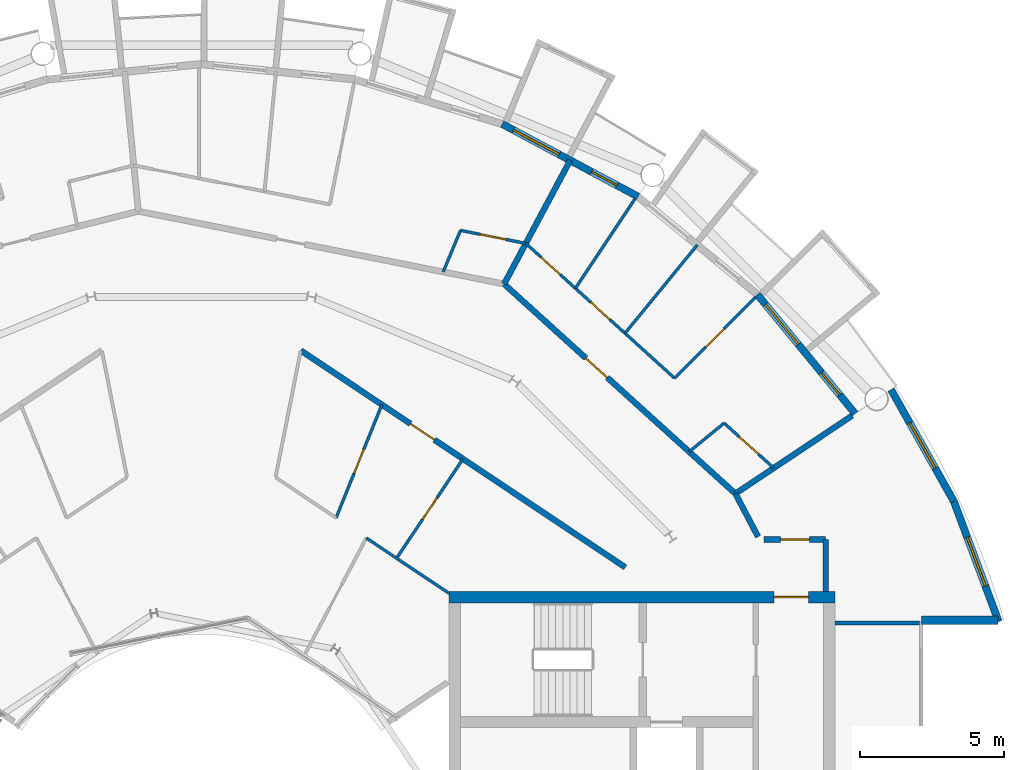
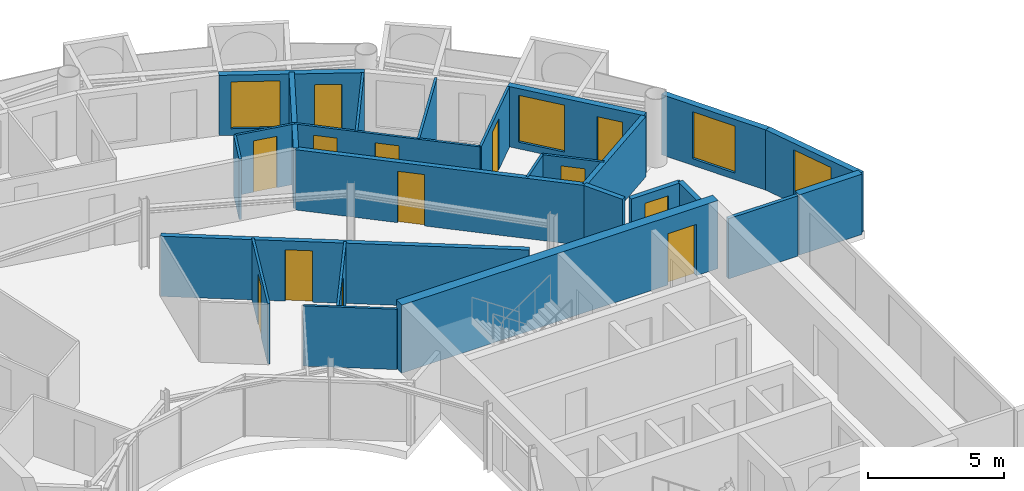
# One storey, part 23 of 28: 25 walls, 13 doors, 4 windows, 17 openings.
"""IFC4 building model written with IfcOpenShell, lengths in metres."""

import ifcopenshell
import ifcopenshell.guid

model = None  # the IFC model being written
_history = None  # IfcOwnerHistory: only IFC2X3 demands one
_inside = {}  # id of a spatial element -> (the spatial element, [elements in it])
_under = {}  # id of a project, library or spatial element -> (it, [spatial elements below it])
_declared = {}  # id of a project -> (the project, [libraries it declares])
_typed = {}  # id of a type object -> (the type object, [elements of that type])
_made_of = {}  # id of a material, layer set ... -> (it, [elements and type objects made of it])


def new_model(schema):
    """Start an empty IFC model of exactly this schema.

    Asked for "IFC4X3", IfcOpenShell would pick the latest addendum, in which some entities
    have other attributes; the version numbers below select the first issue.
    IFC2X3 requires an IfcOwnerHistory on every rooted entity: one is made here for all.
    """
    global model, _history
    if schema == "IFC4X3":
        model = ifcopenshell.file(schema_version=(4, 3, 0, 0))
    else:
        model = ifcopenshell.file(schema=schema)
    _inside.clear()
    _under.clear()
    _declared.clear()
    _typed.clear()
    _made_of.clear()
    _history = None
    if model.schema == "IFC2X3":
        org = make("IfcOrganization", Name="unknown")
        user = make(
            "IfcPersonAndOrganization",
            ThePerson=make("IfcPerson", FamilyName="unknown"),
            TheOrganization=org,
        )
        app = make(
            "IfcApplication",
            ApplicationDeveloper=org,
            Version="unknown",
            ApplicationFullName="unknown",
            ApplicationIdentifier="unknown",
        )
        _history = make(
            "IfcOwnerHistory",
            OwningUser=user,
            OwningApplication=app,
            ChangeAction="ADDED",
            CreationDate=0,
        )
    return model


def make(cls, **values):
    """One entity of the class cls with the attributes given. An attribute that is None is left unset."""
    return model.create_entity(
        cls, **{name: value for name, value in values.items() if value is not None}
    )


def rooted(cls, **values):
    """An entity with a GlobalId (a new one), such as an element, a storey or a relation."""
    return make(cls, GlobalId=ifcopenshell.guid.new(), OwnerHistory=_history, **values)


def si_unit(unit_type, name, prefix=None):
    """IfcSIUnit, for example si_unit("LENGTHUNIT", "METRE", prefix="MILLI")."""
    return make("IfcSIUnit", UnitType=unit_type, Prefix=prefix, Name=name)


def assignment(units):
    """IfcUnitAssignment: the units of a project."""
    return None if units is None else make("IfcUnitAssignment", Units=units)


def point(xyz):
    """IfcCartesianPoint."""
    return None if xyz is None else make("IfcCartesianPoint", Coordinates=xyz)


def direction(xyz):
    """IfcDirection."""
    return None if xyz is None else make("IfcDirection", DirectionRatios=xyz)


def frame(location, z_axis=None, x_axis=None):
    """IfcAxis2Placement3D, a coordinate frame: its origin and axes. An axis left out is left unset."""
    return make(
        "IfcAxis2Placement3D",
        Location=point(location),
        Axis=direction(z_axis),
        RefDirection=direction(x_axis),
    )


def frame_2d(location, x_axis=None):
    """IfcAxis2Placement2D, a coordinate frame in the plane: its origin and x axis."""
    return make(
        "IfcAxis2Placement2D", Location=point(location), RefDirection=direction(x_axis)
    )


def origin():
    """The frame at (0, 0, 0) with its axes left unset."""
    return frame((0.0, 0.0, 0.0))


def place(relative_to, where):
    """IfcLocalPlacement: puts the frame where relative to a parent placement (None: the world)."""
    return make(
        "IfcLocalPlacement", PlacementRelTo=relative_to, RelativePlacement=where
    )


def context(
    kind, dimensions, precision=None, world=None, true_north=None, identifier=None
):
    """IfcGeometricRepresentationContext, for example the 3D "Model" context."""
    return make(
        "IfcGeometricRepresentationContext",
        ContextIdentifier=identifier,
        ContextType=kind,
        CoordinateSpaceDimension=dimensions,
        Precision=precision,
        WorldCoordinateSystem=world,
        TrueNorth=true_north,
    )


def subcontext(parent, identifier, kind, view, scale=None):
    """IfcGeometricRepresentationSubContext, for example "Body" below "Model"."""
    return make(
        "IfcGeometricRepresentationSubContext",
        ContextIdentifier=identifier,
        ContextType=kind,
        ParentContext=parent,
        TargetScale=scale,
        TargetView=view,
    )


def project(units=None, contexts=None):
    """IfcProject with its units and contexts."""
    return rooted(
        "IfcProject",
        Name="project",
        RepresentationContexts=contexts,
        UnitsInContext=assignment(units),
    )


def spatial(cls, under=None, at=None, **own):
    """A site, building, storey or space (cls), placed at a placement, below another one or the project."""
    s = rooted(cls, ObjectPlacement=at, **own)
    if under is not None:
        _under.setdefault(under.id(), (under, []))[1].append(s)
    return s


def profile(cls, at=None, kind="AREA", **sizes):
    """A parametric profile (cls). Its sizes go by their IFC names, for example OverallWidth=200.0."""
    return make(cls, ProfileType=kind, Position=at, **sizes)


def rectangle(**sizes):
    """IfcRectangleProfileDef."""
    return profile("IfcRectangleProfileDef", **sizes)


def extrude(swept, where, along, depth):
    """IfcExtrudedAreaSolid: the profile swept, set in the frame where, extruded along a direction by depth."""
    return make(
        "IfcExtrudedAreaSolid",
        SweptArea=swept,
        Position=where,
        ExtrudedDirection=direction(along),
        Depth=depth,
    )


def shape(context_of_items, identifier, shape_type, items):
    """IfcShapeRepresentation: the items that make up one representation, for example the "Body"."""
    return make(
        "IfcShapeRepresentation",
        ContextOfItems=context_of_items,
        RepresentationIdentifier=identifier,
        RepresentationType=shape_type,
        Items=items,
    )


def material(Name=None, Category=None):
    """IfcMaterial."""
    return make("IfcMaterial", Name=Name, Category=Category)


def layer(
    of_material, thickness, ventilated=None, Name=None, Category=None, Priority=None
):
    """IfcMaterialLayer: one layer of a wall or slab, of a material (None: an air gap)."""
    return make(
        "IfcMaterialLayer",
        Material=of_material,
        LayerThickness=thickness,
        IsVentilated=ventilated,
        Name=Name,
        Category=Category,
        Priority=Priority,
    )


def layer_set(layers, Name=None):
    """IfcMaterialLayerSet."""
    return make("IfcMaterialLayerSet", MaterialLayers=layers, LayerSetName=Name)


def made_of(thing, what):
    """Note that an element or type object is made of a material, layer set ...; save() writes the relation."""
    if what is not None:
        _made_of.setdefault(what.id(), (what, []))[1].append(thing)
    return thing


def type_object(cls, material=None, **own):
    """A type object (cls), such as IfcWallType, which elements share."""
    return made_of(rooted(cls, **own), material)


def element(
    cls,
    number,
    at=None,
    inside=None,
    cuts=None,
    type_object=None,
    material=None,
    context=None,
    identifier="Body",
    shape_type=None,
    held_by="IfcProductDefinitionShape",
    body=None,
    shapes=None,
    **own,
):
    """One element of the class cls, such as IfcWall. Its Tag is "e" and its number.

    at: its placement. inside: the storey or other place that contains it. cuts: it is an
    opening in that element (IfcRelVoidsElement). A single representation is given by context,
    identifier, shape_type and body (its items); several are given by shapes. held_by: the class
    of the entity that holds the representations. save() writes the other relations.
    """
    e = rooted(cls, Tag="e%d" % number, ObjectPlacement=at, **own)
    if body is not None:
        shapes = [shape(context, identifier, shape_type, body)]
    if shapes is not None:
        e.Representation = make(held_by, Representations=shapes)
    if inside is not None:
        _inside.setdefault(inside.id(), (inside, []))[1].append(e)
    if cuts is not None:
        rooted(
            "IfcRelVoidsElement", RelatingBuildingElement=cuts, RelatedOpeningElement=e
        )
    if type_object is not None:
        _typed.setdefault(type_object.id(), (type_object, []))[1].append(e)
    return made_of(e, material)


def fill(opening, filler):
    """IfcRelFillsElement: the door or window that sits in an opening."""
    return rooted(
        "IfcRelFillsElement",
        RelatingOpeningElement=opening,
        RelatedBuildingElement=filler,
    )


def aggregate(whole, parts):
    """IfcRelAggregates: a whole, such as a stair, and the parts it consists of."""
    return rooted("IfcRelAggregates", RelatingObject=whole, RelatedObjects=parts)


def save(model, path):
    """Write the relations noted so far, then the file.

    IfcRelAggregates (storeys below a building ...), IfcRelContainedInSpatialStructure (elements
    in a storey), IfcRelDefinesByType, IfcRelAssociatesMaterial and IfcRelDeclares: one each for
    every whole, place, type object, material and project.
    """
    for whole, parts in _under.values():
        aggregate(whole, parts)
    for where, things in _inside.values():
        rooted(
            "IfcRelContainedInSpatialStructure",
            RelatedElements=things,
            RelatingStructure=where,
        )
    for kind, things in _typed.values():
        rooted("IfcRelDefinesByType", RelatedObjects=things, RelatingType=kind)
    for what, things in _made_of.values():
        rooted("IfcRelAssociatesMaterial", RelatedObjects=things, RelatingMaterial=what)
    for by, libraries in _declared.values():
        rooted("IfcRelDeclares", RelatingContext=by, RelatedDefinitions=libraries)
    model.write(path)


model = new_model("IFC4")

# Units and contexts
model_context = context("Model", 3, precision=1e-05, world=origin(), true_north=direction((0.0, 1.0)))
body_context = subcontext(model_context, "Body", "Model", "MODEL_VIEW")
ifc_project = project(units=[si_unit("LENGTHUNIT", "METRE"), si_unit("AREAUNIT", "SQUARE_METRE"), si_unit("VOLUMEUNIT", "CUBIC_METRE"), si_unit("PLANEANGLEUNIT", "RADIAN"), si_unit("MASSUNIT", "GRAM", prefix="KILO")], contexts=[model_context])

# Site, building, storey
site_placement = place(None, origin())
site = spatial("IfcSite", under=ifc_project, at=site_placement, CompositionType="ELEMENT")
building_placement = place(site_placement, origin())
building = spatial("IfcBuilding", under=site, at=building_placement, Name="Maasbend Ring Residences", CompositionType="ELEMENT")
storey_placement = place(building_placement, frame((0.0, 0.0, 227.949951171875)))
storey = spatial("IfcBuildingStorey", under=building, at=storey_placement, Name="L65", CompositionType="ELEMENT", Elevation=227.949951171875)

# Wall, opening, door
ifc_material_1 = material(Name="Concrete C50/60", Category="concrete")
ifc_layer_1 = layer(ifc_material_1, 0.39990234375)
ifc_layer_set_1 = layer_set([ifc_layer_1], Name="Concrete C50/60")
wall_type_1 = type_object("IfcWallType", Name="CORE WALL 400 C50/60", PredefinedType="SHEAR", material=ifc_layer_set_1)
wall_1_placement = place(storey_placement, frame((22.0, 8.800048828125, 0.0), z_axis=(0.0, 0.0, 1.0), x_axis=(-1.0, 0.0, 0.0)))
wall_1 = element("IfcWall", 1, at=wall_1_placement, inside=storey, type_object=wall_type_1, Name="L65 core E wall PN", PredefinedType="SHEAR", context=body_context, shape_type="SweptSolid", body=[
    extrude(rectangle(XDim=13.39990234375, YDim=0.39990234375, at=frame_2d((6.699951171875, 0.0))), origin(), (0.0, 0.0, 1.0), 3.050048828125),
])
opening_1_placement = place(wall_1_placement, frame((0.925048828125, 0.0, 0.0)))
opening_1 = element("IfcOpeningElement", 2, at=opening_1_placement, cuts=wall_1, Name="Opening D-E6514", PredefinedType="OPENING", context=body_context, shape_type="SweptSolid", body=[
    extrude(rectangle(XDim=1.199951171875, YDim=2.300048828125, at=frame_2d((0.60009765625, 1.14990234375))), frame((0.0, 0.2099609375, 0.0), z_axis=(0.0, -1.0, 0.0), x_axis=(1.0, 0.0, 0.0)), (0.0, 0.0, 1.0), 0.419921875),
])
ifc_material_2 = material(Name="Steel, powder coated", Category="steel")
door_type_1 = type_object("IfcDoorType", Name="CORRIDOR DOOR 1200 X 2300 FD30S", OperationType="NOTDEFINED", PredefinedType="DOOR", material=ifc_material_2)
door_1_placement = place(opening_1_placement, origin())
door_1 = element("IfcDoor", 3, at=door_1_placement, inside=storey, type_object=door_type_1, Name="Corridor door L65", OperationType="SINGLE_SWING_RIGHT", OverallHeight=2.300048828125, OverallWidth=1.199951171875, PredefinedType="DOOR", context=body_context, shape_type="SweptSolid", body=[
    extrude(rectangle(XDim=1.199951171875, YDim=2.300048828125, at=frame_2d((0.60009765625, 1.14990234375))), frame((0.0, 0.02490234375, 0.0), z_axis=(0.0, -1.0, 0.0), x_axis=(1.0, 0.0, 0.0)), (0.0, 0.0, 1.0), 0.050048828125),
])
fill(opening_1, door_1)

# Wall
ifc_material_3 = material(Name="Concrete C30/37", Category="concrete")
ifc_layer_2 = layer(ifc_material_3, 0.199951171875)
ifc_layer_set_2 = layer_set([ifc_layer_2], Name="Concrete C30/37")
wall_type_2 = type_object("IfcWallType", Name="CORRIDOR WALL 200 CONCRETE", PredefinedType="PARTITIONING", material=ifc_layer_set_2)
wall_2_placement = place(storey_placement, frame((21.675048828125, 9.0, 0.0), z_axis=(0.0, 0.0, 1.0), x_axis=(0.0, 1.0, 0.0)))
element("IfcWall", 4, at=wall_2_placement, inside=storey, type_object=wall_type_2, Name="U-L65-w013", PredefinedType="PARTITIONING", context=body_context, shape_type="SweptSolid", body=[
    extrude(rectangle(XDim=1.800048828125, YDim=0.199951171875, at=frame_2d((0.89990234375, 0.0))), origin(), (0.0, 0.0, 1.0), 2.699951171875),
])

# Wall, opening, door
wall_3_placement = place(storey_placement, frame((19.54296875, 10.800048828125, 0.0), z_axis=(0.0, 0.0, 1.0), x_axis=(1.0, 0.0, 0.0)))
wall_3 = element("IfcWall", 5, at=wall_3_placement, inside=storey, type_object=wall_type_2, Name="U-L65-w086", PredefinedType="PARTITIONING", context=body_context, shape_type="SweptSolid", body=[
    extrude(rectangle(XDim=2.132080078125, YDim=0.199951171875, at=frame_2d((1.06591796875, 0.0))), origin(), (0.0, 0.0, 1.0), 2.699951171875),
])
opening_2_placement = place(wall_3_placement, frame((0.56591796875, 0.0, 0.0)))
opening_2 = element("IfcOpeningElement", 6, at=opening_2_placement, cuts=wall_3, Name="Opening D-6560", PredefinedType="OPENING", context=body_context, shape_type="SweptSolid", body=[
    extrude(rectangle(XDim=1.0, YDim=2.300048828125, at=frame_2d((0.5, 1.14990234375))), frame((0.0, 0.10986328125, 0.0), z_axis=(0.0, -1.0, 0.0), x_axis=(1.0, 0.0, 0.0)), (0.0, 0.0, 1.0), 0.219970703125),
])
ifc_material_4 = material(Name="Timber, painted", Category="wood")
door_type_2 = type_object("IfcDoorType", Name="ROOM DOOR 1000 X 2300", OperationType="NOTDEFINED", PredefinedType="DOOR", material=ifc_material_4)
door_2_placement = place(opening_2_placement, origin())
door_2 = element("IfcDoor", 7, at=door_2_placement, inside=storey, type_object=door_type_2, Name="D-6560", OperationType="SINGLE_SWING_RIGHT", OverallHeight=2.300048828125, OverallWidth=1.0, PredefinedType="DOOR", context=body_context, shape_type="SweptSolid", body=[
    extrude(rectangle(XDim=1.0, YDim=2.300048828125, at=frame_2d((0.5, 1.14990234375))), frame((0.0, 0.02490234375, 0.0), z_axis=(0.0, -1.0, 0.0), x_axis=(1.0, 0.0, 0.0)), (0.0, 0.0, 1.0), 0.050048828125),
])
fill(opening_2, door_2)

wall_4_placement = place(storey_placement, frame((3.452880859375, 17.360107421875, 0.0), z_axis=(0.0, 0.0, 1.0), x_axis=(0.831437137577, -0.555618831806, 0.0)))
wall_4 = element("IfcWall", 8, at=wall_4_placement, inside=storey, type_object=wall_type_2, Name="U-L65-w092", PredefinedType="PARTITIONING", context=body_context, shape_type="SweptSolid", body=[
    extrude(rectangle(XDim=13.549072265625, YDim=0.199951171875, at=frame_2d((6.7744140625, 0.0))), origin(), (0.0, 0.0, 1.0), 2.699951171875),
])
opening_3_placement = place(wall_4_placement, frame((4.5810546875, 0.0, 0.0)))
opening_3 = element("IfcOpeningElement", 9, at=opening_3_placement, cuts=wall_4, Name="Opening D-6519", PredefinedType="OPENING", context=body_context, shape_type="SweptSolid", body=[
    extrude(rectangle(XDim=1.0, YDim=2.300048828125, at=frame_2d((0.5, 1.14990234375))), frame((0.0, 0.10986328125, 0.0), z_axis=(0.0, -1.0, 0.0), x_axis=(1.0, 0.0, 0.0)), (0.0, 0.0, 1.0), 0.219970703125),
])
ifc_material_5 = material(Name="Timber, fire-rated, painted", Category="wood")
door_type_3 = type_object("IfcDoorType", Name="FLAT ENTRANCE DOOR 1000 X 2300 FIRE-RATED", OperationType="NOTDEFINED", PredefinedType="DOOR", material=ifc_material_5)
door_3_placement = place(opening_3_placement, origin())
door_3 = element("IfcDoor", 10, at=door_3_placement, inside=storey, type_object=door_type_3, Name="D-6519", OperationType="SINGLE_SWING_LEFT", OverallHeight=2.300048828125, OverallWidth=1.0, PredefinedType="DOOR", context=body_context, shape_type="SweptSolid", body=[
    extrude(rectangle(XDim=1.0, YDim=2.300048828125, at=frame_2d((0.5, 1.14990234375))), frame((0.0, 0.02490234375, 0.0), z_axis=(0.0, -1.0, 0.0), x_axis=(1.0, 0.0, 0.0)), (0.0, 0.0, 1.0), 0.050048828125),
])
fill(opening_3, door_3)

wall_5_placement = place(storey_placement, frame((10.511962890625, 19.6669921875, 0.0), z_axis=(0.0, 0.0, 1.0), x_axis=(0.740947367223, -0.671563101283, 0.0)))
wall_5 = element("IfcWall", 11, at=wall_5_placement, inside=storey, type_object=wall_type_2, Name="U-L65-w095", PredefinedType="PARTITIONING", context=body_context, shape_type="SweptSolid", body=[
    extrude(rectangle(XDim=10.83740234375, YDim=0.199951171875, at=frame_2d((5.418701171875, 0.0))), origin(), (0.0, 0.0, 1.0), 2.699951171875),
])
opening_4_placement = place(wall_5_placement, frame((3.8349609375, 0.0, 0.0)))
opening_4 = element("IfcOpeningElement", 12, at=opening_4_placement, cuts=wall_5, Name="Opening D-6501", PredefinedType="OPENING", context=body_context, shape_type="SweptSolid", body=[
    extrude(rectangle(XDim=1.0, YDim=2.300048828125, at=frame_2d((0.5, 1.14990234375))), frame((0.0, 0.10986328125, 0.0), z_axis=(0.0, -1.0, 0.0), x_axis=(1.0, 0.0, 0.0)), (0.0, 0.0, 1.0), 0.219970703125),
])
door_4_placement = place(opening_4_placement, origin())
door_4 = element("IfcDoor", 13, at=door_4_placement, inside=storey, type_object=door_type_3, Name="D-6501", OperationType="SINGLE_SWING_LEFT", OverallHeight=2.300048828125, OverallWidth=1.0, PredefinedType="DOOR", context=body_context, shape_type="SweptSolid", body=[
    extrude(rectangle(XDim=1.0, YDim=2.300048828125, at=frame_2d((0.5, 1.14990234375))), frame((0.0, 0.02490234375, 0.0), z_axis=(0.0, -1.0, 0.0), x_axis=(1.0, 0.0, 0.0)), (0.0, 0.0, 1.0), 0.050048828125),
])
fill(opening_4, door_4)

# Wall
wall_6_placement = place(storey_placement, frame((18.5419921875, 12.388916015625, 0.0), z_axis=(0.0, 0.0, 1.0), x_axis=(0.465812036273, -0.88488369115, 0.0)))
element("IfcWall", 14, at=wall_6_placement, inside=storey, type_object=wall_type_2, Name="U-L65-w100", PredefinedType="PARTITIONING", context=body_context, shape_type="SweptSolid", body=[
    extrude(rectangle(XDim=1.687255859375, YDim=0.199951171875, at=frame_2d((0.84375, 0.0))), origin(), (0.0, 0.0, 1.0), 2.699951171875),
])

# Wall, openings, door, window
ifc_material_6 = material(Name="Aluminium clad insulated panel", Category="aluminium")
ifc_layer_3 = layer(ifc_material_6, 0.25)
ifc_layer_set_3 = layer_set([ifc_layer_3], Name="EW-GL")
wall_type_3 = type_object("IfcWallType", Name="EW-GL", PredefinedType="SOLIDWALL", material=ifc_layer_set_3)
wall_7_placement = place(storey_placement, frame((22.698974609375, 15.1669921875, 0.0), z_axis=(0.0, 0.0, 1.0), x_axis=(-0.634382322723, 0.773019449054, 0.0)))
wall_7 = element("IfcWall", 15, at=wall_7_placement, inside=storey, type_object=wall_type_3, Name="External wall N01", PredefinedType="SOLIDWALL", context=body_context, shape_type="SweptSolid", body=[
    extrude(rectangle(XDim=5.351806640625, YDim=0.25, at=frame_2d((2.67578125, 0.0))), origin(), (0.0, 0.0, 1.0), 2.699951171875),
])
opening_5_placement = place(wall_7_placement, frame((0.841064453125, 0.0, 0.0)))
opening_5 = element("IfcOpeningElement", 16, at=opening_5_placement, cuts=wall_7, Name="Opening D-LG", PredefinedType="OPENING", context=body_context, shape_type="SweptSolid", body=[
    extrude(rectangle(XDim=1.0, YDim=2.199951171875, at=frame_2d((0.5, 1.10009765625))), frame((0.0, 0.135009765625, 0.0), z_axis=(0.0, -1.0, 0.0), x_axis=(1.0, 0.0, 0.0)), (0.0, 0.0, 1.0), 0.27001953125),
])
opening_6_placement = place(wall_7_placement, frame((3.110595703125, 0.0, 0.300048828125)))
opening_6 = element("IfcOpeningElement", 17, at=opening_6_placement, cuts=wall_7, Name="Opening W-BX", PredefinedType="OPENING", context=body_context, shape_type="SweptSolid", body=[
    extrude(rectangle(XDim=1.800048828125, YDim=2.10009765625, at=frame_2d((0.89990234375, 1.050048828125))), frame((0.0, 0.135009765625, 0.0), z_axis=(0.0, -1.0, 0.0), x_axis=(1.0, 0.0, 0.0)), (0.0, 0.0, 1.0), 0.27001953125),
])
ifc_material_7 = material(Name="Aluminium and clear glass", Category="aluminium")
door_type_4 = type_object("IfcDoorType", Name="D-LG", OperationType="SINGLE_SWING_LEFT", PredefinedType="DOOR", material=ifc_material_7)
door_5_placement = place(opening_5_placement, origin())
door_5 = element("IfcDoor", 18, at=door_5_placement, inside=storey, type_object=door_type_4, Name="Loggia door N01", OperationType="SINGLE_SWING_LEFT", OverallHeight=2.199951171875, OverallWidth=1.0, PredefinedType="DOOR", context=body_context, shape_type="SweptSolid", body=[
    extrude(rectangle(XDim=1.0, YDim=2.199951171875, at=frame_2d((0.5, 1.10009765625))), frame((0.0, 0.02490234375, 0.0), z_axis=(0.0, -1.0, 0.0), x_axis=(1.0, 0.0, 0.0)), (0.0, 0.0, 1.0), 0.050048828125),
])
fill(opening_5, door_5)
ifc_material_8 = material(Name="Aluminium and clear glass", Category="aluminium")
window_type = type_object("IfcWindowType", Name="W-BX", PartitioningType="DOUBLE_PANEL_VERTICAL", PredefinedType="WINDOW", material=ifc_material_8)
window_1_placement = place(opening_6_placement, origin())
window_1 = element("IfcWindow", 19, at=window_1_placement, inside=storey, type_object=window_type, Name="Window N02 room to box", OverallHeight=2.10009765625, OverallWidth=1.800048828125, PartitioningType="SINGLE_PANEL", PredefinedType="WINDOW", context=body_context, shape_type="SweptSolid", body=[
    extrude(rectangle(XDim=1.800048828125, YDim=2.10009765625, at=frame_2d((0.89990234375, 1.050048828125))), frame((0.0, 0.030029296875, 0.0), z_axis=(0.0, -1.0, 0.0), x_axis=(1.0, 0.0, 0.0)), (0.0, 0.0, 1.0), 0.06005859375),
])
fill(opening_6, window_1)

wall_8_placement = place(storey_placement, frame((15.1669921875, 22.698974609375, 0.0), z_axis=(0.0, 0.0, 1.0), x_axis=(-0.881915646801, 0.471407246368, 0.0)))
wall_8 = element("IfcWall", 20, at=wall_8_placement, inside=storey, type_object=wall_type_3, Name="External wall N03", PredefinedType="SOLIDWALL", context=body_context, shape_type="SweptSolid", body=[
    extrude(rectangle(XDim=5.35205078125, YDim=0.25, at=frame_2d((2.676025390625, 0.0))), origin(), (0.0, 0.0, 1.0), 2.699951171875),
])
opening_7_placement = place(wall_8_placement, frame((0.841064453125, 0.0, 0.0)))
opening_7 = element("IfcOpeningElement", 21, at=opening_7_placement, cuts=wall_8, Name="Opening D-LG", PredefinedType="OPENING", context=body_context, shape_type="SweptSolid", body=[
    extrude(rectangle(XDim=1.0, YDim=2.199951171875, at=frame_2d((0.5, 1.10009765625))), frame((0.0, 0.135009765625, 0.0), z_axis=(0.0, -1.0, 0.0), x_axis=(1.0, 0.0, 0.0)), (0.0, 0.0, 1.0), 0.27001953125),
])
opening_8_placement = place(wall_8_placement, frame((3.110595703125, 0.0, 0.300048828125)))
opening_8 = element("IfcOpeningElement", 22, at=opening_8_placement, cuts=wall_8, Name="Opening W-BX", PredefinedType="OPENING", context=body_context, shape_type="SweptSolid", body=[
    extrude(rectangle(XDim=1.800048828125, YDim=2.10009765625, at=frame_2d((0.89990234375, 1.050048828125))), frame((0.0, 0.135009765625, 0.0), z_axis=(0.0, -1.0, 0.0), x_axis=(1.0, 0.0, 0.0)), (0.0, 0.0, 1.0), 0.27001953125),
])
door_6_placement = place(opening_7_placement, origin())
door_6 = element("IfcDoor", 23, at=door_6_placement, inside=storey, type_object=door_type_4, Name="Loggia door N05", OperationType="SINGLE_SWING_LEFT", OverallHeight=2.199951171875, OverallWidth=1.0, PredefinedType="DOOR", context=body_context, shape_type="SweptSolid", body=[
    extrude(rectangle(XDim=1.0, YDim=2.199951171875, at=frame_2d((0.5, 1.10009765625))), frame((0.0, 0.02490234375, 0.0), z_axis=(0.0, -1.0, 0.0), x_axis=(1.0, 0.0, 0.0)), (0.0, 0.0, 1.0), 0.050048828125),
])
fill(opening_7, door_6)
window_2_placement = place(opening_8_placement, origin())
window_2 = element("IfcWindow", 24, at=window_2_placement, inside=storey, type_object=window_type, Name="Window N06 room to box", OverallHeight=2.10009765625, OverallWidth=1.800048828125, PartitioningType="SINGLE_PANEL", PredefinedType="WINDOW", context=body_context, shape_type="SweptSolid", body=[
    extrude(rectangle(XDim=1.800048828125, YDim=2.10009765625, at=frame_2d((0.89990234375, 1.050048828125))), frame((0.0, 0.030029296875, 0.0), z_axis=(0.0, -1.0, 0.0), x_axis=(1.0, 0.0, 0.0)), (0.0, 0.0, 1.0), 0.06005859375),
])
fill(opening_8, window_2)

# Wall, opening, window
ifc_material_9 = material(Name="Aluminium clad insulated panel", Category="aluminium")
ifc_layer_4 = layer(ifc_material_9, 0.25)
ifc_layer_set_4 = layer_set([ifc_layer_4], Name="EW-HORN")
wall_type_4 = type_object("IfcWallType", Name="EW-HORN", PredefinedType="SOLIDWALL", material=ifc_layer_set_4)
wall_9_placement = place(storey_placement, frame((27.681884765625, 7.945068359375, 0.0), z_axis=(0.0, 0.0, 1.0), x_axis=(-0.349247811493, 0.937030397675, 0.0)))
wall_9 = element("IfcWall", 25, at=wall_9_placement, inside=storey, type_object=wall_type_4, Name="Horn wall 1.1", PredefinedType="SOLIDWALL", context=body_context, shape_type="SweptSolid", body=[
    extrude(rectangle(XDim=4.4521484375, YDim=0.25, at=frame_2d((2.22607421875, 0.0))), origin(), (0.0, 0.0, 1.0), 2.699951171875),
])
opening_9_placement = place(wall_9_placement, frame((1.32666015625, 0.0, 0.300048828125)))
opening_9 = element("IfcOpeningElement", 26, at=opening_9_placement, cuts=wall_9, Name="Opening W-BX", PredefinedType="OPENING", context=body_context, shape_type="SweptSolid", body=[
    extrude(rectangle(XDim=1.800048828125, YDim=2.10009765625, at=frame_2d((0.89990234375, 1.050048828125))), frame((0.0, 0.135009765625, 0.0), z_axis=(0.0, -1.0, 0.0), x_axis=(1.0, 0.0, 0.0)), (0.0, 0.0, 1.0), 0.27001953125),
])
window_3_placement = place(opening_9_placement, origin())
window_3 = element("IfcWindow", 27, at=window_3_placement, inside=storey, type_object=window_type, Name="Horn window 1.1", OverallHeight=2.10009765625, OverallWidth=1.800048828125, PartitioningType="SINGLE_PANEL", PredefinedType="WINDOW", context=body_context, shape_type="SweptSolid", body=[
    extrude(rectangle(XDim=1.800048828125, YDim=2.10009765625, at=frame_2d((0.89990234375, 1.050048828125))), frame((0.0, 0.030029296875, 0.0), z_axis=(0.0, -1.0, 0.0), x_axis=(1.0, 0.0, 0.0)), (0.0, 0.0, 1.0), 0.06005859375),
])
fill(opening_9, window_3)

wall_10_placement = place(storey_placement, frame((26.126953125, 12.116943359375, 0.0), z_axis=(0.0, 0.0, 1.0), x_axis=(-0.489696356642, 0.871893042919, 0.0)))
wall_10 = element("IfcWall", 28, at=wall_10_placement, inside=storey, type_object=wall_type_4, Name="Horn wall 1.2", PredefinedType="SOLIDWALL", context=body_context, shape_type="SweptSolid", body=[
    extrude(rectangle(XDim=4.45361328125, YDim=0.25, at=frame_2d((2.226806640625, 0.0))), origin(), (0.0, 0.0, 1.0), 2.699951171875),
])
opening_10_placement = place(wall_10_placement, frame((1.32666015625, 0.0, 0.300048828125)))
opening_10 = element("IfcOpeningElement", 29, at=opening_10_placement, cuts=wall_10, Name="Opening W-BX", PredefinedType="OPENING", context=body_context, shape_type="SweptSolid", body=[
    extrude(rectangle(XDim=1.800048828125, YDim=2.10009765625, at=frame_2d((0.89990234375, 1.050048828125))), frame((0.0, 0.135009765625, 0.0), z_axis=(0.0, -1.0, 0.0), x_axis=(1.0, 0.0, 0.0)), (0.0, 0.0, 1.0), 0.27001953125),
])
window_4_placement = place(opening_10_placement, origin())
window_4 = element("IfcWindow", 30, at=window_4_placement, inside=storey, type_object=window_type, Name="Horn window 1.2", OverallHeight=2.10009765625, OverallWidth=1.800048828125, PartitioningType="SINGLE_PANEL", PredefinedType="WINDOW", context=body_context, shape_type="SweptSolid", body=[
    extrude(rectangle(XDim=1.800048828125, YDim=2.10009765625, at=frame_2d((0.89990234375, 1.050048828125))), frame((0.0, 0.030029296875, 0.0), z_axis=(0.0, -1.0, 0.0), x_axis=(1.0, 0.0, 0.0)), (0.0, 0.0, 1.0), 0.06005859375),
])
fill(opening_10, window_4)

# Wall
ifc_material_10 = material(Name="Aluminium clad insulated panel", Category="aluminium")
ifc_layer_5 = layer(ifc_material_10, 0.300048828125)
ifc_layer_set_5 = layer_set([ifc_layer_5], Name="EW-RET")
wall_type_5 = type_object("IfcWallType", Name="EW-RET", PredefinedType="SOLIDWALL", material=ifc_layer_set_5)
wall_11_placement = place(storey_placement, frame((25.0, 8.0, 0.0), z_axis=(0.0, 0.0, 1.0), x_axis=(1.0, 0.0, 0.0)))
element("IfcWall", 31, at=wall_11_placement, inside=storey, type_object=wall_type_5, Name="Notch return wall east north", PredefinedType="SOLIDWALL", context=body_context, shape_type="SweptSolid", body=[
    extrude(rectangle(XDim=2.6669921875, YDim=0.300048828125, at=frame_2d((1.33349609375, 0.0))), origin(), (0.0, 0.0, 1.0), 2.699951171875),
])

# Wall, opening, door
ifc_material_11 = material(Name="Gypsum board on steel studs", Category="steel")
ifc_layer_6 = layer(ifc_material_11, 0.10009765625)
ifc_layer_set_6 = layer_set([ifc_layer_6], Name="PARTITION 100 GYPSUM")
wall_type_6 = type_object("IfcWallType", Name="PARTITION 100 GYPSUM", PredefinedType="PARTITIONING", material=ifc_layer_set_6)
wall_12_placement = place(storey_placement, frame((4.677978515625, 11.551025390625, 0.0), z_axis=(0.0, 0.0, 1.0), x_axis=(0.375509828455, 0.926818411952, 0.0)))
wall_12 = element("IfcWall", 32, at=wall_12_placement, inside=storey, type_object=wall_type_6, Name="U-L65-w062", PredefinedType="PARTITIONING", context=body_context, shape_type="SweptSolid", body=[
    extrude(rectangle(XDim=4.237060546875, YDim=0.10009765625, at=frame_2d((2.11865234375, 0.0))), origin(), (0.0, 0.0, 1.0), 2.699951171875),
])
opening_11_placement = place(wall_12_placement, frame((1.6689453125, 0.0, 0.0)))
opening_11 = element("IfcOpeningElement", 33, at=opening_11_placement, cuts=wall_12, Name="Opening D-6520", PredefinedType="OPENING", context=body_context, shape_type="SweptSolid", body=[
    extrude(rectangle(XDim=0.89990234375, YDim=2.300048828125, at=frame_2d((0.449951171875, 1.14990234375))), frame((0.0, 0.06005859375, 0.0), z_axis=(0.0, -1.0, 0.0), x_axis=(1.0, 0.0, 0.0)), (0.0, 0.0, 1.0), 0.1201171875),
])
ifc_material_12 = material(Name="Timber, painted", Category="wood")
door_type_5 = type_object("IfcDoorType", Name="INTERNAL DOOR 900 X 2300", OperationType="NOTDEFINED", PredefinedType="DOOR", material=ifc_material_12)
door_7_placement = place(opening_11_placement, origin())
door_7 = element("IfcDoor", 34, at=door_7_placement, inside=storey, type_object=door_type_5, Name="D-6520", OperationType="SINGLE_SWING_RIGHT", OverallHeight=2.300048828125, OverallWidth=0.89990234375, PredefinedType="DOOR", context=body_context, shape_type="SweptSolid", body=[
    extrude(rectangle(XDim=0.89990234375, YDim=2.300048828125, at=frame_2d((0.449951171875, 1.14990234375))), frame((0.0, 0.02490234375, 0.0), z_axis=(0.0, -1.0, 0.0), x_axis=(1.0, 0.0, 0.0)), (0.0, 0.0, 1.0), 0.050048828125),
])
fill(opening_11, door_7)

wall_13_placement = place(storey_placement, frame((6.780029296875, 10.14697265625, 0.0), z_axis=(0.0, 0.0, 1.0), x_axis=(0.555528237031, 0.831497671591, 0.0)))
wall_13 = element("IfcWall", 35, at=wall_13_placement, inside=storey, type_object=wall_type_6, Name="U-L65-w066", PredefinedType="PARTITIONING", context=body_context, shape_type="SweptSolid", body=[
    extrude(rectangle(XDim=4.149169921875, YDim=0.10009765625, at=frame_2d((2.07470703125, 0.0))), origin(), (0.0, 0.0, 1.0), 2.699951171875),
])
opening_12_placement = place(wall_13_placement, frame((1.625, 0.0, 0.0)))
opening_12 = element("IfcOpeningElement", 36, at=opening_12_placement, cuts=wall_13, Name="Opening D-6521", PredefinedType="OPENING", context=body_context, shape_type="SweptSolid", body=[
    extrude(rectangle(XDim=0.89990234375, YDim=2.300048828125, at=frame_2d((0.449951171875, 1.14990234375))), frame((0.0, 0.06005859375, 0.0), z_axis=(0.0, -1.0, 0.0), x_axis=(1.0, 0.0, 0.0)), (0.0, 0.0, 1.0), 0.1201171875),
])
door_8_placement = place(opening_12_placement, origin())
door_8 = element("IfcDoor", 37, at=door_8_placement, inside=storey, type_object=door_type_5, Name="D-6521", OperationType="SINGLE_SWING_RIGHT", OverallHeight=2.300048828125, OverallWidth=0.89990234375, PredefinedType="DOOR", context=body_context, shape_type="SweptSolid", body=[
    extrude(rectangle(XDim=0.89990234375, YDim=2.300048828125, at=frame_2d((0.449951171875, 1.14990234375))), frame((0.0, 0.02490234375, 0.0), z_axis=(0.0, -1.0, 0.0), x_axis=(1.0, 0.0, 0.0)), (0.0, 0.0, 1.0), 0.050048828125),
])
fill(opening_12, door_8)

# Walls
wall_14_placement = place(storey_placement, frame((8.39599609375, 20.087890625, 0.0), z_axis=(0.0, 0.0, 1.0), x_axis=(0.385469858593, 0.922720427929, 0.0)))
element("IfcWall", 38, at=wall_14_placement, inside=storey, type_object=wall_type_6, Name="U-L65-w067", PredefinedType="PARTITIONING", context=body_context, shape_type="SweptSolid", body=[
    extrude(rectangle(XDim=1.561767578125, YDim=0.10009765625, at=frame_2d((0.78076171875, 0.0))), origin(), (0.0, 0.0, 1.0), 2.699951171875),
])
wall_15_placement = place(storey_placement, frame((12.988037109375, 19.51806640625, 0.0), z_axis=(0.0, 0.0, 1.0), x_axis=(0.553823887887, 0.83263383381, 0.0)))
element("IfcWall", 39, at=wall_15_placement, inside=storey, type_object=wall_type_6, Name="U-L65-w072", PredefinedType="PARTITIONING", context=body_context, shape_type="SweptSolid", body=[
    extrude(rectangle(XDim=3.730224609375, YDim=0.10009765625, at=frame_2d((1.865234375, 0.0))), origin(), (0.0, 0.0, 1.0), 2.699951171875),
])
wall_16_placement = place(storey_placement, frame((14.708984375, 17.9580078125, 0.0), z_axis=(0.0, 0.0, 1.0), x_axis=(0.633590098448, 0.773668913133, 0.0)))
element("IfcWall", 40, at=wall_16_placement, inside=storey, type_object=wall_type_6, Name="U-L65-w074", PredefinedType="PARTITIONING", context=body_context, shape_type="SweptSolid", body=[
    extrude(rectangle(XDim=3.961669921875, YDim=0.10009765625, at=frame_2d((1.98095703125, 0.0))), origin(), (0.0, 0.0, 1.0), 2.699951171875),
])

# Wall, opening, door
wall_17_placement = place(storey_placement, frame((16.429931640625, 16.39794921875, 0.0), z_axis=(0.0, 0.0, 1.0), x_axis=(0.707722727509, 0.706490297858, 0.0)))
wall_17 = element("IfcWall", 41, at=wall_17_placement, inside=storey, type_object=wall_type_6, Name="U-L65-w076", PredefinedType="PARTITIONING", context=body_context, shape_type="SweptSolid", body=[
    extrude(rectangle(XDim=3.9619140625, YDim=0.10009765625, at=frame_2d((1.98095703125, 0.0))), origin(), (0.0, 0.0, 1.0), 2.699951171875),
])
opening_13_placement = place(wall_17_placement, frame((1.531005859375, 0.0, 0.0)))
opening_13 = element("IfcOpeningElement", 42, at=opening_13_placement, cuts=wall_17, Name="Opening D-6503", PredefinedType="OPENING", context=body_context, shape_type="SweptSolid", body=[
    extrude(rectangle(XDim=0.89990234375, YDim=2.300048828125, at=frame_2d((0.449951171875, 1.14990234375))), frame((0.0, 0.06005859375, 0.0), z_axis=(0.0, -1.0, 0.0), x_axis=(1.0, 0.0, 0.0)), (0.0, 0.0, 1.0), 0.1201171875),
])
door_9_placement = place(opening_13_placement, origin())
door_9 = element("IfcDoor", 43, at=door_9_placement, inside=storey, type_object=door_type_5, Name="D-6503", OperationType="SINGLE_SWING_RIGHT", OverallHeight=2.300048828125, OverallWidth=0.89990234375, PredefinedType="DOOR", context=body_context, shape_type="SweptSolid", body=[
    extrude(rectangle(XDim=0.89990234375, YDim=2.300048828125, at=frame_2d((0.449951171875, 1.14990234375))), frame((0.0, 0.02490234375, 0.0), z_axis=(0.0, -1.0, 0.0), x_axis=(1.0, 0.0, 0.0)), (0.0, 0.0, 1.0), 0.050048828125),
])
fill(opening_13, door_9)

# Walls
wall_18_placement = place(storey_placement, frame((16.93603515625, 13.844970703125, 0.0), z_axis=(0.0, 0.0, 1.0), x_axis=(0.774283039722, 0.632839453889, 0.0)))
element("IfcWall", 44, at=wall_18_placement, inside=storey, type_object=wall_type_6, Name="U-L65-w078", PredefinedType="PARTITIONING", context=body_context, shape_type="SweptSolid", body=[
    extrude(rectangle(XDim=1.569091796875, YDim=0.10009765625, at=frame_2d((0.78466796875, 0.0))), origin(), (0.0, 0.0, 1.0), 2.699951171875),
])
wall_19_placement = place(storey_placement, frame((5.72998046875, 10.847900390625, 0.0), z_axis=(0.0, 0.0, 1.0), x_axis=(0.831397130511, -0.555678694372, 0.0)))
element("IfcWall", 45, at=wall_19_placement, inside=storey, type_object=wall_type_6, Name="U-L65-w090", PredefinedType="PARTITIONING", context=body_context, shape_type="SweptSolid", body=[
    extrude(rectangle(XDim=3.453369140625, YDim=0.10009765625, at=frame_2d((1.7265625, 0.0))), origin(), (0.0, 0.0, 1.0), 2.699951171875),
])

# Wall, opening, door
wall_20_placement = place(storey_placement, frame((8.998046875, 21.529052734375, 0.0), z_axis=(0.0, 0.0, 1.0), x_axis=(0.980783177308, -0.19510089469, 0.0)))
wall_20 = element("IfcWall", 46, at=wall_20_placement, inside=storey, type_object=wall_type_6, Name="U-L65-w104", PredefinedType="PARTITIONING", context=body_context, shape_type="SweptSolid", body=[
    extrude(rectangle(XDim=2.3125, YDim=0.10009765625, at=frame_2d((1.15625, 0.0))), origin(), (0.0, 0.0, 1.0), 2.699951171875),
])
opening_14_placement = place(wall_20_placement, frame((0.7060546875, 0.0, 0.0)))
opening_14 = element("IfcOpeningElement", 47, at=opening_14_placement, cuts=wall_20, Name="Opening D-6507", PredefinedType="OPENING", context=body_context, shape_type="SweptSolid", body=[
    extrude(rectangle(XDim=0.89990234375, YDim=2.300048828125, at=frame_2d((0.449951171875, 1.14990234375))), frame((0.0, 0.06005859375, 0.0), z_axis=(0.0, -1.0, 0.0), x_axis=(1.0, 0.0, 0.0)), (0.0, 0.0, 1.0), 0.1201171875),
])
door_10_placement = place(opening_14_placement, origin())
door_10 = element("IfcDoor", 48, at=door_10_placement, inside=storey, type_object=door_type_5, Name="D-6507", OperationType="SINGLE_SWING_RIGHT", OverallHeight=2.300048828125, OverallWidth=0.89990234375, PredefinedType="DOOR", context=body_context, shape_type="SweptSolid", body=[
    extrude(rectangle(XDim=0.89990234375, YDim=2.300048828125, at=frame_2d((0.449951171875, 1.14990234375))), frame((0.0, 0.02490234375, 0.0), z_axis=(0.0, -1.0, 0.0), x_axis=(1.0, 0.0, 0.0)), (0.0, 0.0, 1.0), 0.050048828125),
])
fill(opening_14, door_10)

# Wall, openings, doors
wall_21_placement = place(storey_placement, frame((11.26611328125, 21.077880859375, 0.0), z_axis=(0.0, 0.0, 1.0), x_axis=(0.74097115376, -0.671536856245, 0.0)))
wall_21 = element("IfcWall", 49, at=wall_21_placement, inside=storey, type_object=wall_type_6, Name="U-L65-w105", PredefinedType="PARTITIONING", context=body_context, shape_type="SweptSolid", body=[
    extrude(rectangle(XDim=6.968994140625, YDim=0.10009765625, at=frame_2d((3.484375, 0.0))), origin(), (0.0, 0.0, 1.0), 2.699951171875),
])
opening_15_placement = place(wall_21_placement, frame((3.033935546875, 0.0, 0.0)))
opening_15 = element("IfcOpeningElement", 50, at=opening_15_placement, cuts=wall_21, Name="Opening D-6504", PredefinedType="OPENING", context=body_context, shape_type="SweptSolid", body=[
    extrude(rectangle(XDim=0.89990234375, YDim=2.300048828125, at=frame_2d((0.449951171875, 1.14990234375))), frame((0.0, 0.06005859375, 0.0), z_axis=(0.0, -1.0, 0.0), x_axis=(1.0, 0.0, 0.0)), (0.0, 0.0, 1.0), 0.1201171875),
])
opening_16_placement = place(wall_21_placement, frame((0.7119140625, 0.0, 0.0)))
opening_16 = element("IfcOpeningElement", 51, at=opening_16_placement, cuts=wall_21, Name="Opening D-6505", PredefinedType="OPENING", context=body_context, shape_type="SweptSolid", body=[
    extrude(rectangle(XDim=0.89990234375, YDim=2.300048828125, at=frame_2d((0.449951171875, 1.14990234375))), frame((0.0, 0.06005859375, 0.0), z_axis=(0.0, -1.0, 0.0), x_axis=(1.0, 0.0, 0.0)), (0.0, 0.0, 1.0), 0.1201171875),
])
door_11_placement = place(opening_15_placement, origin())
door_11 = element("IfcDoor", 52, at=door_11_placement, inside=storey, type_object=door_type_5, Name="D-6504", OperationType="SINGLE_SWING_LEFT", OverallHeight=2.300048828125, OverallWidth=0.89990234375, PredefinedType="DOOR", context=body_context, shape_type="SweptSolid", body=[
    extrude(rectangle(XDim=0.89990234375, YDim=2.300048828125, at=frame_2d((0.449951171875, 1.14990234375))), frame((0.0, 0.02490234375, 0.0), z_axis=(0.0, -1.0, 0.0), x_axis=(1.0, 0.0, 0.0)), (0.0, 0.0, 1.0), 0.050048828125),
])
fill(opening_15, door_11)
door_12_placement = place(opening_16_placement, origin())
door_12 = element("IfcDoor", 53, at=door_12_placement, inside=storey, type_object=door_type_5, Name="D-6505", OperationType="SINGLE_SWING_LEFT", OverallHeight=2.300048828125, OverallWidth=0.89990234375, PredefinedType="DOOR", context=body_context, shape_type="SweptSolid", body=[
    extrude(rectangle(XDim=0.89990234375, YDim=2.300048828125, at=frame_2d((0.449951171875, 1.14990234375))), frame((0.0, 0.02490234375, 0.0), z_axis=(0.0, -1.0, 0.0), x_axis=(1.0, 0.0, 0.0)), (0.0, 0.0, 1.0), 0.050048828125),
])
fill(opening_16, door_12)

# Wall, opening, door
wall_22_placement = place(storey_placement, frame((18.14892578125, 14.840087890625, 0.0), z_axis=(0.0, 0.0, 1.0), x_axis=(0.741127434804, -0.671364376014, 0.0)))
wall_22 = element("IfcWall", 54, at=wall_22_placement, inside=storey, type_object=wall_type_6, Name="U-L65-w106", PredefinedType="PARTITIONING", context=body_context, shape_type="SweptSolid", body=[
    extrude(rectangle(XDim=2.32373046875, YDim=0.10009765625, at=frame_2d((1.161865234375, 0.0))), origin(), (0.0, 0.0, 1.0), 2.699951171875),
])
opening_17_placement = place(wall_22_placement, frame((0.714111328125, 0.0, 0.0)))
opening_17 = element("IfcOpeningElement", 55, at=opening_17_placement, cuts=wall_22, Name="Opening D-6502", PredefinedType="OPENING", context=body_context, shape_type="SweptSolid", body=[
    extrude(rectangle(XDim=0.89990234375, YDim=2.300048828125, at=frame_2d((0.449951171875, 1.14990234375))), frame((0.0, 0.06005859375, 0.0), z_axis=(0.0, -1.0, 0.0), x_axis=(1.0, 0.0, 0.0)), (0.0, 0.0, 1.0), 0.1201171875),
])
door_13_placement = place(opening_17_placement, origin())
door_13 = element("IfcDoor", 56, at=door_13_placement, inside=storey, type_object=door_type_5, Name="D-6502", OperationType="SINGLE_SWING_RIGHT", OverallHeight=2.300048828125, OverallWidth=0.89990234375, PredefinedType="DOOR", context=body_context, shape_type="SweptSolid", body=[
    extrude(rectangle(XDim=0.89990234375, YDim=2.300048828125, at=frame_2d((0.449951171875, 1.14990234375))), frame((0.0, 0.02490234375, 0.0), z_axis=(0.0, -1.0, 0.0), x_axis=(1.0, 0.0, 0.0)), (0.0, 0.0, 1.0), 0.050048828125),
])
fill(opening_17, door_13)

# Walls
ifc_material_13 = material(Name="Gypsum board on steel studs", Category="steel")
ifc_layer_7 = layer(ifc_material_13, 0.14990234375)
ifc_layer_set_7 = layer_set([ifc_layer_7], Name="PARTITION 150 EI 60")
wall_type_7 = type_object("IfcWallType", Name="PARTITION 150 EI 60", PredefinedType="PARTITIONING", material=ifc_layer_set_7)
wall_23_placement = place(storey_placement, frame((22.0, 7.89990234375, 0.0), z_axis=(0.0, 0.0, 1.0), x_axis=(1.0, 0.0, 0.0)))
element("IfcWall", 57, at=wall_23_placement, inside=storey, type_object=wall_type_7, Name="L65 core E wall CITN", PredefinedType="PARTITIONING", context=body_context, shape_type="SweptSolid", body=[
    extrude(rectangle(XDim=2.93994140625, YDim=0.14990234375, at=frame_2d((1.469970703125, 0.0))), origin(), (0.0, 0.0, 1.0), 2.699951171875),
])
ifc_material_14 = material(Name="Concrete C30/37", Category="concrete")
ifc_layer_8 = layer(ifc_material_14, 0.199951171875)
ifc_layer_set_8 = layer_set([ifc_layer_8], Name="Concrete C30/37")
wall_type_8 = type_object("IfcWallType", Name="PARTY WALL 200 CONCRETE", PredefinedType="PARTITIONING", material=ifc_layer_set_8)
wall_24_placement = place(storey_placement, frame((10.511962890625, 19.6669921875, 0.0), z_axis=(0.0, 0.0, 1.0), x_axis=(0.471271812246, 0.881988026553, 0.0)))
element("IfcWall", 58, at=wall_24_placement, inside=storey, type_object=wall_type_8, Name="U-L65-w070", PredefinedType="PARTITIONING", context=body_context, shape_type="SweptSolid", body=[
    extrude(rectangle(XDim=4.874267578125, YDim=0.199951171875, at=frame_2d((2.43701171875, 0.0))), origin(), (0.0, 0.0, 1.0), 2.699951171875),
])
wall_25_placement = place(storey_placement, frame((18.5419921875, 12.388916015625, 0.0), z_axis=(0.0, 0.0, 1.0), x_axis=(0.831387096605, 0.55569370664, 0.0)))
element("IfcWall", 59, at=wall_25_placement, inside=storey, type_object=wall_type_8, Name="U-L65-w080", PredefinedType="PARTITIONING", context=body_context, shape_type="SweptSolid", body=[
    extrude(rectangle(XDim=4.875, YDim=0.199951171875, at=frame_2d((2.4375, 0.0))), origin(), (0.0, 0.0, 1.0), 2.699951171875),
])

save(model, "model.ifc")
